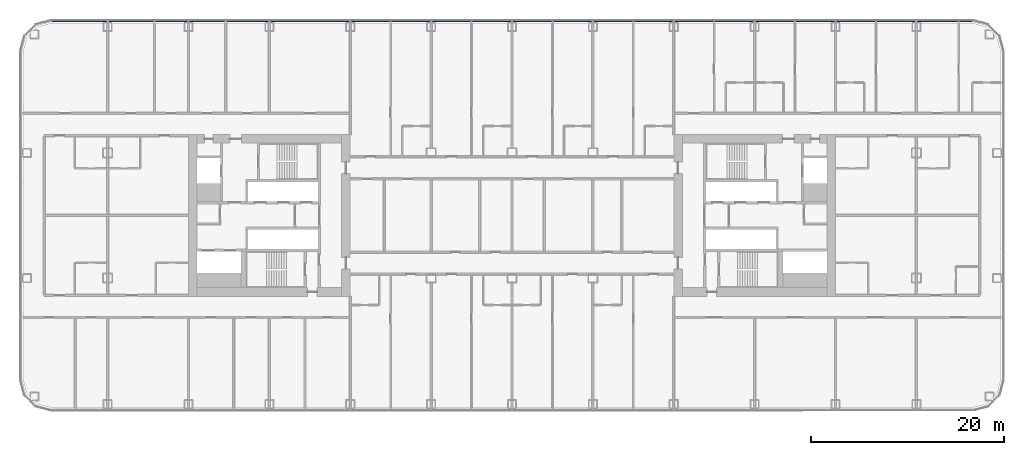
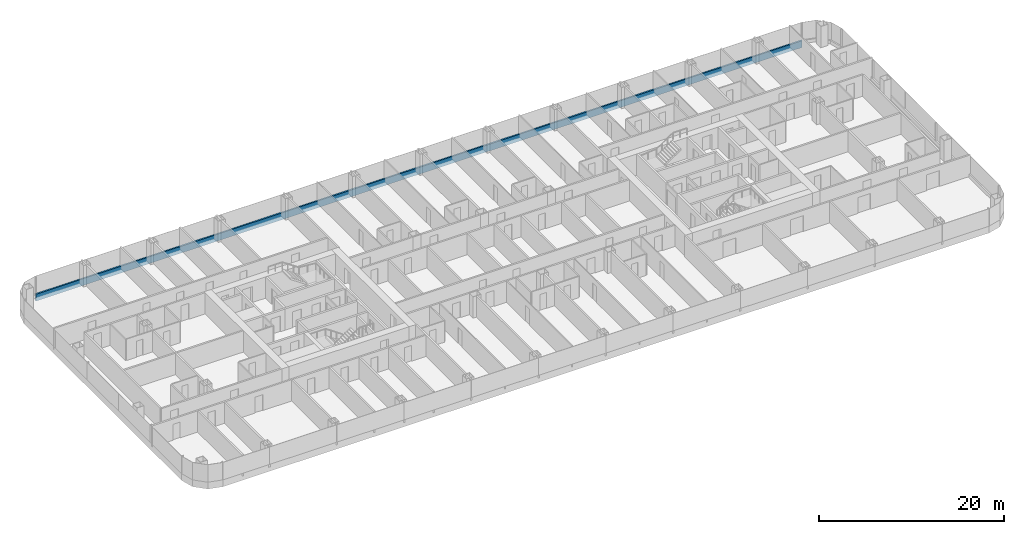
# One storey, part 8 of 28: 1 member, 1 element without a shape of its own.
"""IFC4 building model written with IfcOpenShell, lengths in metres."""

from ifc_helpers import new_model, si_unit, direction, frame, origin, origin_2d, place, context, subcontext, project, spatial, rectangle, extrude, material, layer, layer_set, material_profile, profile_set, type_object, element, aggregate, save


model = new_model("IFC4")

# Units and contexts
model_context = context("Model", 3, precision=1e-05, world=origin(), true_north=direction((0.0, 1.0)))
body_context = subcontext(model_context, "Body", "Model", "MODEL_VIEW")
ifc_project = project(units=[si_unit("LENGTHUNIT", "METRE"), si_unit("AREAUNIT", "SQUARE_METRE"), si_unit("VOLUMEUNIT", "CUBIC_METRE"), si_unit("PLANEANGLEUNIT", "RADIAN"), si_unit("MASSUNIT", "GRAM", prefix="KILO")], contexts=[model_context])

# Site, building, storey
site_placement = place(None, origin())
site = spatial("IfcSite", under=ifc_project, at=site_placement, CompositionType="ELEMENT")
building_placement = place(site_placement, origin())
building = spatial("IfcBuilding", under=site, at=building_placement, Name="Hakoniwa Tower and Hamabe Station Hall", CompositionType="ELEMENT")
storey_placement = place(building_placement, frame((0.0, 0.0, 48.60009765625)))
storey = spatial("IfcBuildingStorey", under=building, at=storey_placement, Name="L13", CompositionType="ELEMENT", Elevation=48.60009765625)

# Curtain wall, member
ifc_material_1 = material(Name="Dark low-e laminated glass", Category="glass")
ifc_layer = layer(ifc_material_1, 0.199951171875)
ifc_layer_set = layer_set([ifc_layer], Name="CW-1 UNITISED GUEST")
curtain_wall_type = type_object("IfcCurtainWallType", Name="CW-1 UNITISED GUEST", PredefinedType="NOTDEFINED", material=ifc_layer_set)
curtain_wall_placement = place(storey_placement, origin())
curtain_wall = element("IfcCurtainWall", 1, at=curtain_wall_placement, inside=storey, type_object=curtain_wall_type, Name="CW-1 curtain wall", PredefinedType="NOTDEFINED")
ifc_material_2 = material(Name="Aluminium 6063-T5 black anodised", Category="aluminium")
ifc_material_profile = material_profile(ifc_material_2, rectangle(XDim=0.199951171875, YDim=0.89990234375, at=origin_2d()), Name="CW SLAB-EDGE BAND 900X200")
ifc_profile_set = profile_set([ifc_material_profile], Name="Aluminium 6063-T5 black anodised")
member_type = type_object("IfcMemberType", Name="CW SLAB-EDGE BAND 900X200", PredefinedType="USERDEFINED", material=ifc_profile_set)
member_placement = place(storey_placement, frame((47.839599609375, 20.199951171875, -0.10009765625), z_axis=(-1.0, 0.0, 0.0), x_axis=(0.0, -1.0, 0.0)))
member = element("IfcMember", 2, at=member_placement, type_object=member_type, Name="CW-1 transom", ObjectType="TRANSOM", PredefinedType="USERDEFINED", context=body_context, shape_type="SweptSolid", body=[
    extrude(rectangle(XDim=0.199951171875, YDim=0.89990234375, at=origin_2d()), origin(), (0.0, 0.0, 1.0), 95.67919921875),
])
aggregate(curtain_wall, [member])

save(model, "model.ifc")
